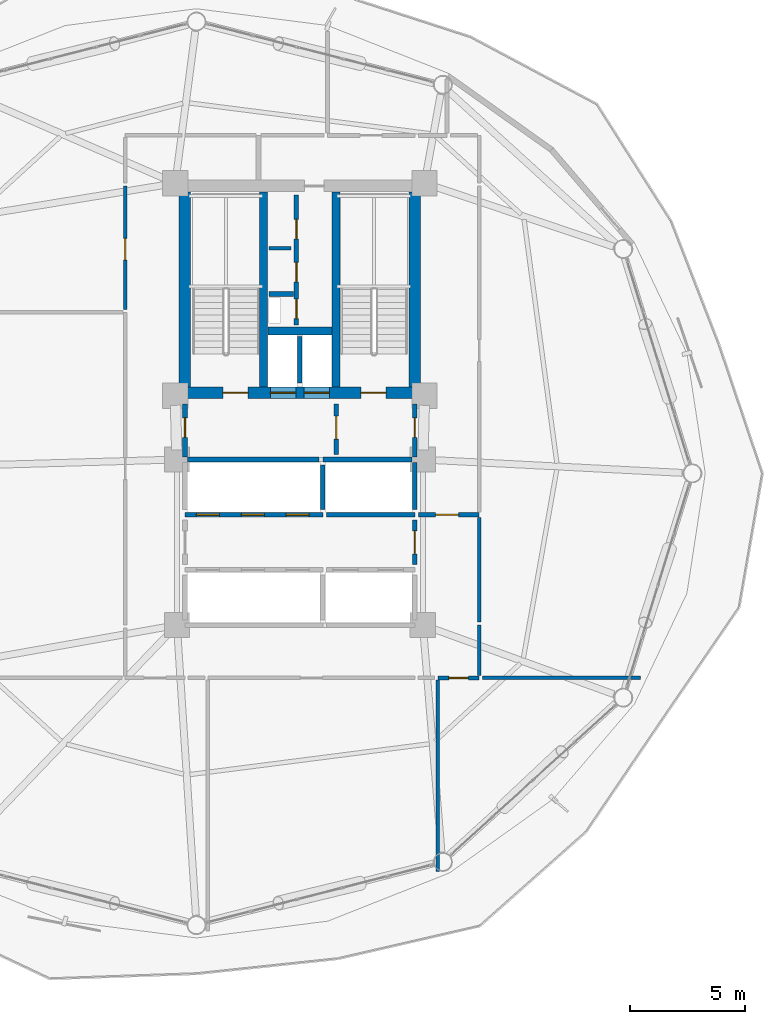
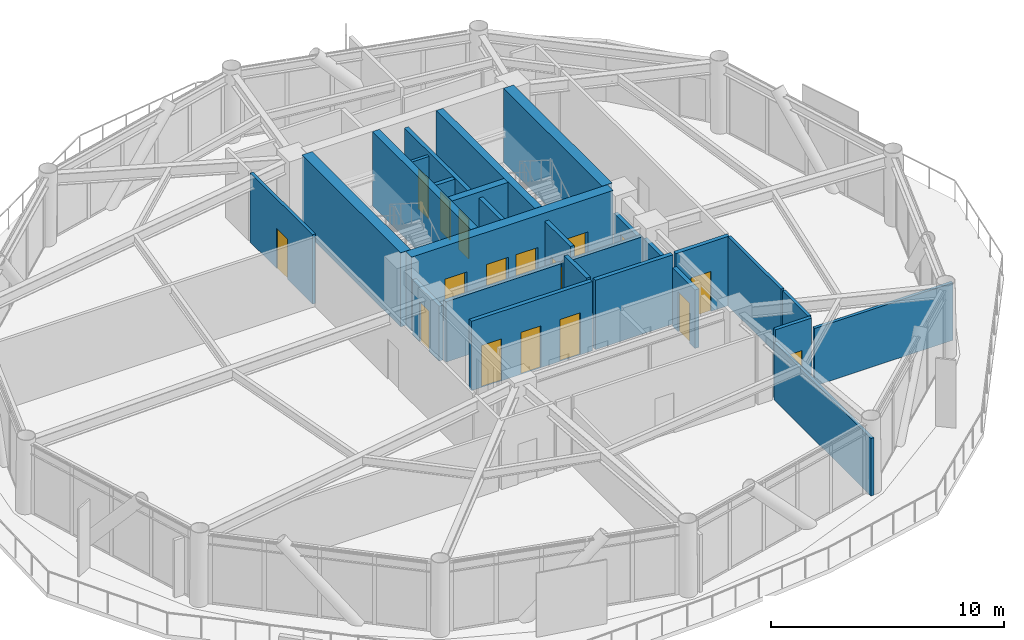
# One storey, part 20 of 24: 27 walls, 17 doors, 17 openings.
"""IFC4 building model written with IfcOpenShell, lengths in metres."""

from ifc_helpers import new_model, si_unit, direction, frame, frame_2d, origin, place, context, subcontext, project, spatial, rectangle, extrude, material, layer, layer_set, type_object, element, fill, save


model = new_model("IFC4")

# Units and contexts
model_context = context("Model", 3, precision=1e-05, world=origin(), true_north=direction((0.0, 1.0)))
body_context = subcontext(model_context, "Body", "Model", "MODEL_VIEW")
ifc_project = project(units=[si_unit("LENGTHUNIT", "METRE"), si_unit("AREAUNIT", "SQUARE_METRE"), si_unit("VOLUMEUNIT", "CUBIC_METRE"), si_unit("PLANEANGLEUNIT", "RADIAN"), si_unit("MASSUNIT", "GRAM", prefix="KILO")], contexts=[model_context])

# Site, building, storey
site_placement = place(None, origin())
site = spatial("IfcSite", under=ifc_project, at=site_placement, CompositionType="ELEMENT")
building_placement = place(site_placement, origin())
building = spatial("IfcBuilding", under=site, at=building_placement, Name="Varnakorn Sky Granary", CompositionType="ELEMENT")
storey_placement = place(building_placement, frame((0.0, 0.0, 103.199951171875)))
storey = spatial("IfcBuildingStorey", under=building, at=storey_placement, Name="L25", CompositionType="ELEMENT", Elevation=103.199951171875)

# Walls
ifc_material_1 = material(Name="Concrete C50/60", Category="concrete")
ifc_layer_1 = layer(ifc_material_1, 0.35009765625, Name="Concrete C50/60")
ifc_layer_set_1 = layer_set([ifc_layer_1], Name="Concrete C50/60")
wall_type_1 = type_object("IfcWallType", Name="WT-CW-INT-350", PredefinedType="SHEAR", material=ifc_layer_set_1)
for number, where, z_axis, x_axis, name in (
    (1, (1.419921875, 3.760009765625, 0.0), (0.0, 0.0, 1.0), (0.0, 1.0, 0.0), "Stair ST-1 Core Wall L25"),
    (2, (4.580078125, 3.760009765625, 0.0), (0.0, 0.0, 1.0), (0.0, 1.0, 0.0), "Stair ST-2 Core Wall L25"),
):
    element("IfcWall", number, at=place(storey_placement, frame(where, z_axis=z_axis, x_axis=x_axis)), inside=storey, type_object=wall_type_1, Name=name, PredefinedType="SHEAR", context=body_context, shape_type="SweptSolid", body=[
        extrude(rectangle(XDim=8.47998046875, YDim=0.35009765625, at=frame_2d((4.239990234375, 0.0))), origin(), (0.0, 0.0, 1.0), 3.89208984375),
    ])
wall_1_placement = place(storey_placement, frame((1.610107421875, 6.199951171875, 0.0), z_axis=(0.0, 0.0, 1.0), x_axis=(1.0, 0.0, 0.0)))
element("IfcWall", 3, at=wall_1_placement, inside=storey, type_object=wall_type_1, Name="Core Lift Shaft Cross Wall L25", PredefinedType="SHEAR", context=body_context, shape_type="SweptSolid", body=[
    extrude(rectangle(XDim=2.77978515625, YDim=0.35009765625, at=frame_2d((1.389892578125, 0.0))), origin(), (0.0, 0.0, 1.0), 3.89208984375),
])

# Wall, openings, doors
ifc_material_2 = material(Name="Concrete C60/75", Category="concrete")
ifc_layer_2 = layer(ifc_material_2, 0.5, Name="Concrete C60/75")
ifc_layer_set_2 = layer_set([ifc_layer_2], Name="Concrete C60/75")
wall_type_2 = type_object("IfcWallType", Name="WT-CW-SHEAR-500", PredefinedType="SHEAR", material=ifc_layer_set_2)
wall_2_placement = place(storey_placement, frame((-2.0, 3.5, 0.0), z_axis=(0.0, 0.0, 1.0), x_axis=(1.0, 0.0, 0.0)))
wall_2 = element("IfcWall", 4, at=wall_2_placement, inside=storey, type_object=wall_type_2, Name="Core South Shear Wall L25", PredefinedType="SHEAR", context=body_context, shape_type="SweptSolid", body=[
    extrude(rectangle(XDim=10.0, YDim=0.5, at=frame_2d((5.0, 0.0))), origin(), (0.0, 0.0, 1.0), 3.89208984375),
])
opening_1_placement = place(wall_2_placement, frame((1.64990234375, 0.0, 0.0)))
opening_1 = element("IfcOpeningElement", 5, at=opening_1_placement, cuts=wall_2, Name="Opening FD-90", PredefinedType="OPENING", context=body_context, shape_type="SweptSolid", body=[
    extrude(rectangle(XDim=1.10009765625, YDim=2.14990234375, at=frame_2d((0.550048828125, 1.074951171875))), frame((0.0, 0.260009765625, 0.0), z_axis=(0.0, -1.0, 0.0), x_axis=(1.0, 0.0, 0.0)), (0.0, 0.0, 1.0), 0.52001953125),
])
opening_2_placement = place(wall_2_placement, frame((7.64990234375, 0.0, 0.0)))
opening_2 = element("IfcOpeningElement", 6, at=opening_2_placement, cuts=wall_2, Name="Opening FD-90", PredefinedType="OPENING", context=body_context, shape_type="SweptSolid", body=[
    extrude(rectangle(XDim=1.10009765625, YDim=2.14990234375, at=frame_2d((0.550048828125, 1.074951171875))), frame((0.0, 0.260009765625, 0.0), z_axis=(0.0, -1.0, 0.0), x_axis=(1.0, 0.0, 0.0)), (0.0, 0.0, 1.0), 0.52001953125),
])
opening_3_placement = place(wall_2_placement, frame((3.719970703125, 0.0, 0.0)))
opening_3 = element("IfcOpeningElement", 7, at=opening_3_placement, cuts=wall_2, Name="Opening LD-01", PredefinedType="OPENING", context=body_context, shape_type="SweptSolid", body=[
    extrude(rectangle(XDim=1.10009765625, YDim=2.199951171875, at=frame_2d((0.550048828125, 1.10009765625))), frame((0.0, 0.260009765625, 0.0), z_axis=(0.0, -1.0, 0.0), x_axis=(1.0, 0.0, 0.0)), (0.0, 0.0, 1.0), 0.52001953125),
])
opening_4_placement = place(wall_2_placement, frame((5.179931640625, 0.0, 0.0)))
opening_4 = element("IfcOpeningElement", 8, at=opening_4_placement, cuts=wall_2, Name="Opening LD-01", PredefinedType="OPENING", context=body_context, shape_type="SweptSolid", body=[
    extrude(rectangle(XDim=1.10009765625, YDim=2.199951171875, at=frame_2d((0.550048828125, 1.10009765625))), frame((0.0, 0.260009765625, 0.0), z_axis=(0.0, -1.0, 0.0), x_axis=(1.0, 0.0, 0.0)), (0.0, 0.0, 1.0), 0.52001953125),
])
ifc_material_3 = material(Name="Brushed Bronze Stainless Steel", Category="steel")
door_type_1 = type_object("IfcDoorType", Name="DR-LD-1100", OperationType="DOUBLE_DOOR_SLIDING", PredefinedType="DOOR", material=ifc_material_3)
door_1_placement = place(opening_3_placement, origin())
door_1 = element("IfcDoor", 9, at=door_1_placement, inside=storey, type_object=door_type_1, Name="Firefighting Lift FFL-1 Landing Door L25", OperationType="DOUBLE_DOOR_SLIDING", OverallHeight=2.199951171875, OverallWidth=1.10009765625, PredefinedType="DOOR", context=body_context, shape_type="SweptSolid", body=[
    extrude(rectangle(XDim=1.10009765625, YDim=2.199951171875, at=frame_2d((0.550048828125, 1.10009765625))), frame((0.0, 0.02490234375, 0.0), z_axis=(0.0, -1.0, 0.0), x_axis=(1.0, 0.0, 0.0)), (0.0, 0.0, 1.0), 0.050048828125),
])
fill(opening_3, door_1)
door_2_placement = place(opening_4_placement, origin())
door_2 = element("IfcDoor", 10, at=door_2_placement, inside=storey, type_object=door_type_1, Name="Firefighting Lift FFL-2 Landing Door L25", OperationType="DOUBLE_DOOR_SLIDING", OverallHeight=2.199951171875, OverallWidth=1.10009765625, PredefinedType="DOOR", context=body_context, shape_type="SweptSolid", body=[
    extrude(rectangle(XDim=1.10009765625, YDim=2.199951171875, at=frame_2d((0.550048828125, 1.10009765625))), frame((0.0, 0.02490234375, 0.0), z_axis=(0.0, -1.0, 0.0), x_axis=(1.0, 0.0, 0.0)), (0.0, 0.0, 1.0), 0.050048828125),
])
fill(opening_4, door_2)
ifc_material_4 = material(Name="Galvanised Painted Steel Leaf", Category="steel")
door_type_2 = type_object("IfcDoorType", Name="DR-STAIR-1100", OperationType="NOTDEFINED", PredefinedType="DOOR", material=ifc_material_4)
door_3_placement = place(opening_1_placement, origin())
door_3 = element("IfcDoor", 11, at=door_3_placement, inside=storey, type_object=door_type_2, Name="Stair ST-1 Protected Fire Door L25", OperationType="SINGLE_SWING_LEFT", OverallHeight=2.14990234375, OverallWidth=1.10009765625, PredefinedType="DOOR", context=body_context, shape_type="SweptSolid", body=[
    extrude(rectangle(XDim=1.10009765625, YDim=2.14990234375, at=frame_2d((0.550048828125, 1.074951171875))), frame((0.0, 0.02490234375, 0.0), z_axis=(0.0, -1.0, 0.0), x_axis=(1.0, 0.0, 0.0)), (0.0, 0.0, 1.0), 0.050048828125),
])
fill(opening_1, door_3)
door_4_placement = place(opening_2_placement, origin())
door_4 = element("IfcDoor", 12, at=door_4_placement, inside=storey, type_object=door_type_2, Name="Stair ST-2 Protected Fire Door L25", OperationType="SINGLE_SWING_RIGHT", OverallHeight=2.14990234375, OverallWidth=1.10009765625, PredefinedType="DOOR", context=body_context, shape_type="SweptSolid", body=[
    extrude(rectangle(XDim=1.10009765625, YDim=2.14990234375, at=frame_2d((0.550048828125, 1.074951171875))), frame((0.0, 0.02490234375, 0.0), z_axis=(0.0, -1.0, 0.0), x_axis=(1.0, 0.0, 0.0)), (0.0, 0.0, 1.0), 0.050048828125),
])
fill(opening_2, door_4)

# Walls
for number, where, z_axis, x_axis, name in (
    (13, (-2.0, 3.760009765625, 0.0), (0.0, 0.0, 1.0), (0.0, 1.0, 0.0), "Core West Shear Wall L25"),
    (14, (8.0, 3.760009765625, 0.0), (0.0, 0.0, 1.0), (0.0, 1.0, 0.0), "Core East Shear Wall L25"),
):
    element("IfcWall", number, at=place(storey_placement, frame(where, z_axis=z_axis, x_axis=x_axis)), inside=storey, type_object=wall_type_2, Name=name, PredefinedType="SHEAR", context=body_context, shape_type="SweptSolid", body=[
        extrude(rectangle(XDim=8.47998046875, YDim=0.5, at=frame_2d((4.239990234375, 0.0))), origin(), (0.0, 0.0, 1.0), 3.89208984375),
    ])

# Wall, openings, doors
ifc_material_5 = material(Name="Autoclaved Aerated Concrete Blockwork", Category="masonry")
ifc_layer_3 = layer(ifc_material_5, 0.199951171875, Name="Autoclaved Aerated Concrete Blockwork")
ifc_layer_set_3 = layer_set([ifc_layer_3], Name="Autoclaved Aerated Concrete Blockwork")
wall_type_3 = type_object("IfcWallType", Name="WT-FIRE-200", PredefinedType="MOVABLE", material=ifc_layer_set_3)
wall_3_placement = place(storey_placement, frame((2.85009765625, 6.449951171875, 0.0), z_axis=(0.0, 0.0, 1.0), x_axis=(0.0, 1.0, 0.0)))
wall_3 = element("IfcWall", 15, at=wall_3_placement, inside=storey, type_object=wall_type_3, Name="Interior Partition Wall L25-016", PredefinedType="MOVABLE", context=body_context, shape_type="SweptSolid", body=[
    extrude(rectangle(XDim=5.650146484375, YDim=0.199951171875, at=frame_2d((2.8251953125, 0.0))), origin(), (0.0, 0.0, 1.0), 3.64013671875),
])
opening_5_placement = place(wall_3_placement, frame((1.8798828125, 0.0, 0.0)))
opening_5 = element("IfcOpeningElement", 16, at=opening_5_placement, cuts=wall_3, Name="Opening RD-85", PredefinedType="OPENING", context=body_context, shape_type="SweptSolid", body=[
    extrude(rectangle(XDim=0.85009765625, YDim=2.050048828125, at=frame_2d((0.425048828125, 1.02490234375))), frame((0.0, 0.10986328125, 0.0), z_axis=(0.0, -1.0, 0.0), x_axis=(1.0, 0.0, 0.0)), (0.0, 0.0, 1.0), 0.219970703125),
])
opening_6_placement = place(wall_3_placement, frame((3.75, 0.0, 0.0)))
opening_6 = element("IfcOpeningElement", 17, at=opening_6_placement, cuts=wall_3, Name="Opening FD-60N", PredefinedType="OPENING", context=body_context, shape_type="SweptSolid", body=[
    extrude(rectangle(XDim=0.85009765625, YDim=2.10009765625, at=frame_2d((0.425048828125, 1.050048828125))), frame((0.0, 0.10986328125, 0.0), z_axis=(0.0, -1.0, 0.0), x_axis=(1.0, 0.0, 0.0)), (0.0, 0.0, 1.0), 0.219970703125),
])
opening_7_placement = place(wall_3_placement, frame((0.280029296875, 0.0, 0.0)))
opening_7 = element("IfcOpeningElement", 18, at=opening_7_placement, cuts=wall_3, Name="Opening FD-60N", PredefinedType="OPENING", context=body_context, shape_type="SweptSolid", body=[
    extrude(rectangle(XDim=0.85009765625, YDim=2.10009765625, at=frame_2d((0.425048828125, 1.050048828125))), frame((0.0, 0.10986328125, 0.0), z_axis=(0.0, -1.0, 0.0), x_axis=(1.0, 0.0, 0.0)), (0.0, 0.0, 1.0), 0.219970703125),
])
ifc_material_6 = material(Name="Acoustic Timber Fire Leaf", Category="wood")
door_type_3 = type_object("IfcDoorType", Name="DR-FD60-850", OperationType="NOTDEFINED", PredefinedType="DOOR", material=ifc_material_6)
door_5_placement = place(opening_6_placement, origin())
door_5 = element("IfcDoor", 19, at=door_5_placement, inside=storey, type_object=door_type_3, Name="Interior Door L25-016-2", OperationType="SINGLE_SWING_LEFT", OverallHeight=2.10009765625, OverallWidth=0.85009765625, PredefinedType="DOOR", context=body_context, shape_type="SweptSolid", body=[
    extrude(rectangle(XDim=0.85009765625, YDim=2.10009765625, at=frame_2d((0.425048828125, 1.050048828125))), frame((0.0, 0.02490234375, 0.0), z_axis=(0.0, -1.0, 0.0), x_axis=(1.0, 0.0, 0.0)), (0.0, 0.0, 1.0), 0.050048828125),
])
fill(opening_6, door_5)
door_6_placement = place(opening_7_placement, origin())
door_6 = element("IfcDoor", 20, at=door_6_placement, inside=storey, type_object=door_type_3, Name="Interior Door L25-016-3", OperationType="SINGLE_SWING_RIGHT", OverallHeight=2.10009765625, OverallWidth=0.85009765625, PredefinedType="DOOR", context=body_context, shape_type="SweptSolid", body=[
    extrude(rectangle(XDim=0.85009765625, YDim=2.10009765625, at=frame_2d((0.425048828125, 1.050048828125))), frame((0.0, 0.02490234375, 0.0), z_axis=(0.0, -1.0, 0.0), x_axis=(1.0, 0.0, 0.0)), (0.0, 0.0, 1.0), 0.050048828125),
])
fill(opening_7, door_6)
door_type_4 = type_object("IfcDoorType", Name="DR-RIS-850", OperationType="NOTDEFINED", PredefinedType="DOOR", material=ifc_material_4)
door_7_placement = place(opening_5_placement, origin())
door_7 = element("IfcDoor", 21, at=door_7_placement, inside=storey, type_object=door_type_4, Name="MEP Riser Shaft Access Door L25-016-1", OperationType="SINGLE_SWING_RIGHT", OverallHeight=2.050048828125, OverallWidth=0.85009765625, PredefinedType="DOOR", context=body_context, shape_type="SweptSolid", body=[
    extrude(rectangle(XDim=0.85009765625, YDim=2.050048828125, at=frame_2d((0.425048828125, 1.02490234375))), frame((0.0, 0.02490234375, 0.0), z_axis=(0.0, -1.0, 0.0), x_axis=(1.0, 0.0, 0.0)), (0.0, 0.0, 1.0), 0.050048828125),
])
fill(opening_5, door_7)

# Wall, opening, door
wall_4_placement = place(storey_placement, frame((4.580078125, 0.830078125, 0.0), z_axis=(0.0, 0.0, 1.0), x_axis=(0.0, 1.0, 0.0)))
wall_4 = element("IfcWall", 22, at=wall_4_placement, inside=storey, type_object=wall_type_3, Name="Interior Partition Wall L25-017", PredefinedType="MOVABLE", context=body_context, shape_type="SweptSolid", body=[
    extrude(rectangle(XDim=2.18994140625, YDim=0.199951171875, at=frame_2d((1.094970703125, 0.0))), origin(), (0.0, 0.0, 1.0), 3.64013671875),
])
opening_8_placement = place(wall_4_placement, frame((0.659912109375, 0.0, 0.0)))
opening_8 = element("IfcOpeningElement", 23, at=opening_8_placement, cuts=wall_4, Name="Opening FD-60", PredefinedType="OPENING", context=body_context, shape_type="SweptSolid", body=[
    extrude(rectangle(XDim=1.0, YDim=2.10009765625, at=frame_2d((0.5, 1.050048828125))), frame((0.0, 0.10986328125, 0.0), z_axis=(0.0, -1.0, 0.0), x_axis=(1.0, 0.0, 0.0)), (0.0, 0.0, 1.0), 0.219970703125),
])
door_type_5 = type_object("IfcDoorType", Name="DR-FD60-1000", OperationType="NOTDEFINED", PredefinedType="DOOR", material=ifc_material_6)
door_8_placement = place(opening_8_placement, origin())
door_8 = element("IfcDoor", 24, at=door_8_placement, inside=storey, type_object=door_type_5, Name="Interior Door L25-017-1", OperationType="SINGLE_SWING_LEFT", OverallHeight=2.10009765625, OverallWidth=1.0, PredefinedType="DOOR", context=body_context, shape_type="SweptSolid", body=[
    extrude(rectangle(XDim=1.0, YDim=2.10009765625, at=frame_2d((0.5, 1.050048828125))), frame((0.0, 0.02490234375, 0.0), z_axis=(0.0, -1.0, 0.0), x_axis=(1.0, 0.0, 0.0)), (0.0, 0.0, 1.0), 0.050048828125),
])
fill(opening_8, door_8)

wall_5_placement = place(storey_placement, frame((-2.0, 0.719970703125, 0.0), z_axis=(0.0, 0.0, 1.0), x_axis=(0.0, 1.0, 0.0)))
wall_5 = element("IfcWall", 25, at=wall_5_placement, inside=storey, type_object=wall_type_3, Name="Interior Partition Wall L25-018", PredefinedType="MOVABLE", context=body_context, shape_type="SweptSolid", body=[
    extrude(rectangle(XDim=2.300048828125, YDim=0.199951171875, at=frame_2d((1.14990234375, 0.0))), origin(), (0.0, 0.0, 1.0), 2.8720703125),
])
opening_9_placement = place(wall_5_placement, frame((0.844970703125, 0.0, 0.0)))
opening_9 = element("IfcOpeningElement", 26, at=opening_9_placement, cuts=wall_5, Name="Opening FD-60N", PredefinedType="OPENING", context=body_context, shape_type="SweptSolid", body=[
    extrude(rectangle(XDim=0.85009765625, YDim=2.10009765625, at=frame_2d((0.425048828125, 1.050048828125))), frame((0.0, 0.10986328125, 0.0), z_axis=(0.0, -1.0, 0.0), x_axis=(1.0, 0.0, 0.0)), (0.0, 0.0, 1.0), 0.219970703125),
])
door_9_placement = place(opening_9_placement, origin())
door_9 = element("IfcDoor", 27, at=door_9_placement, inside=storey, type_object=door_type_3, Name="Interior Door L25-018-1", OperationType="SINGLE_SWING_RIGHT", OverallHeight=2.10009765625, OverallWidth=0.85009765625, PredefinedType="DOOR", context=body_context, shape_type="SweptSolid", body=[
    extrude(rectangle(XDim=0.85009765625, YDim=2.10009765625, at=frame_2d((0.425048828125, 1.050048828125))), frame((0.0, 0.02490234375, 0.0), z_axis=(0.0, -1.0, 0.0), x_axis=(1.0, 0.0, 0.0)), (0.0, 0.0, 1.0), 0.050048828125),
])
fill(opening_9, door_9)

wall_6_placement = place(storey_placement, frame((8.0, 0.719970703125, 0.0), z_axis=(0.0, 0.0, 1.0), x_axis=(0.0, 1.0, 0.0)))
wall_6 = element("IfcWall", 28, at=wall_6_placement, inside=storey, type_object=wall_type_3, Name="Interior Partition Wall L25-019", PredefinedType="MOVABLE", context=body_context, shape_type="SweptSolid", body=[
    extrude(rectangle(XDim=2.300048828125, YDim=0.199951171875, at=frame_2d((1.14990234375, 0.0))), origin(), (0.0, 0.0, 1.0), 2.8720703125),
])
opening_10_placement = place(wall_6_placement, frame((0.844970703125, 0.0, 0.0)))
opening_10 = element("IfcOpeningElement", 29, at=opening_10_placement, cuts=wall_6, Name="Opening FD-60N", PredefinedType="OPENING", context=body_context, shape_type="SweptSolid", body=[
    extrude(rectangle(XDim=0.85009765625, YDim=2.10009765625, at=frame_2d((0.425048828125, 1.050048828125))), frame((0.0, 0.10986328125, 0.0), z_axis=(0.0, -1.0, 0.0), x_axis=(1.0, 0.0, 0.0)), (0.0, 0.0, 1.0), 0.219970703125),
])
door_10_placement = place(opening_10_placement, origin())
door_10 = element("IfcDoor", 30, at=door_10_placement, inside=storey, type_object=door_type_3, Name="Interior Door L25-019-1", OperationType="SINGLE_SWING_LEFT", OverallHeight=2.10009765625, OverallWidth=0.85009765625, PredefinedType="DOOR", context=body_context, shape_type="SweptSolid", body=[
    extrude(rectangle(XDim=0.85009765625, YDim=2.10009765625, at=frame_2d((0.425048828125, 1.050048828125))), frame((0.0, 0.02490234375, 0.0), z_axis=(0.0, -1.0, 0.0), x_axis=(1.0, 0.0, 0.0)), (0.0, 0.0, 1.0), 0.050048828125),
])
fill(opening_10, door_10)

wall_7_placement = place(storey_placement, frame((8.0, -3.969970703125, 0.0), z_axis=(0.0, 0.0, 1.0), x_axis=(0.0, 1.0, 0.0)))
wall_7 = element("IfcWall", 31, at=wall_7_placement, inside=storey, type_object=wall_type_3, Name="Interior Partition Wall L25-021", PredefinedType="MOVABLE", context=body_context, shape_type="SweptSolid", body=[
    extrude(rectangle(XDim=1.93994140625, YDim=0.199951171875, at=frame_2d((0.969970703125, 0.0))), origin(), (0.0, 0.0, 1.0), 3.072021484375),
])
opening_11_placement = place(wall_7_placement, frame((0.469970703125, 0.0, 0.0)))
opening_11 = element("IfcOpeningElement", 32, at=opening_11_placement, cuts=wall_7, Name="Opening FD-60", PredefinedType="OPENING", context=body_context, shape_type="SweptSolid", body=[
    extrude(rectangle(XDim=1.0, YDim=2.10009765625, at=frame_2d((0.5, 1.050048828125))), frame((0.0, 0.10986328125, 0.0), z_axis=(0.0, -1.0, 0.0), x_axis=(1.0, 0.0, 0.0)), (0.0, 0.0, 1.0), 0.219970703125),
])
door_11_placement = place(opening_11_placement, origin())
door_11 = element("IfcDoor", 33, at=door_11_placement, inside=storey, type_object=door_type_5, Name="Interior Door L25-021-1", OperationType="SINGLE_SWING_LEFT", OverallHeight=2.10009765625, OverallWidth=1.0, PredefinedType="DOOR", context=body_context, shape_type="SweptSolid", body=[
    extrude(rectangle(XDim=1.0, YDim=2.10009765625, at=frame_2d((0.5, 1.050048828125))), frame((0.0, 0.02490234375, 0.0), z_axis=(0.0, -1.0, 0.0), x_axis=(1.0, 0.0, 0.0)), (0.0, 0.0, 1.0), 0.050048828125),
])
fill(opening_11, door_11)

wall_8_placement = place(storey_placement, frame((8.159912109375, -1.800048828125, 0.0), z_axis=(0.0, 0.0, 1.0), x_axis=(1.0, 0.0, 0.0)))
wall_8 = element("IfcWall", 34, at=wall_8_placement, inside=storey, type_object=wall_type_3, Name="Interior Partition Wall L25-022", PredefinedType="MOVABLE", context=body_context, shape_type="SweptSolid", body=[
    extrude(rectangle(XDim=2.64013671875, YDim=0.199951171875, at=frame_2d((1.320068359375, 0.0))), origin(), (0.0, 0.0, 1.0), 3.64013671875),
])
opening_12_placement = place(wall_8_placement, frame((0.739990234375, 0.0, 0.0)))
opening_12 = element("IfcOpeningElement", 35, at=opening_12_placement, cuts=wall_8, Name="Opening FD-60", PredefinedType="OPENING", context=body_context, shape_type="SweptSolid", body=[
    extrude(rectangle(XDim=1.0, YDim=2.10009765625, at=frame_2d((0.5, 1.050048828125))), frame((0.0, 0.10986328125, 0.0), z_axis=(0.0, -1.0, 0.0), x_axis=(1.0, 0.0, 0.0)), (0.0, 0.0, 1.0), 0.219970703125),
])
door_12_placement = place(opening_12_placement, origin())
door_12 = element("IfcDoor", 36, at=door_12_placement, inside=storey, type_object=door_type_5, Name="Interior Door L25-022-1", OperationType="SINGLE_SWING_RIGHT", OverallHeight=2.10009765625, OverallWidth=1.0, PredefinedType="DOOR", context=body_context, shape_type="SweptSolid", body=[
    extrude(rectangle(XDim=1.0, YDim=2.10009765625, at=frame_2d((0.5, 1.050048828125))), frame((0.0, 0.02490234375, 0.0), z_axis=(0.0, -1.0, 0.0), x_axis=(1.0, 0.0, 0.0)), (0.0, 0.0, 1.0), 0.050048828125),
])
fill(opening_12, door_12)

# Wall
wall_9_placement = place(storey_placement, frame((-1.8798828125, 0.60009765625, 0.0), z_axis=(0.0, 0.0, 1.0), x_axis=(1.0, 0.0, 0.0)))
element("IfcWall", 37, at=wall_9_placement, inside=storey, type_object=wall_type_3, Name="Interior Partition Wall L25-031", PredefinedType="MOVABLE", context=body_context, shape_type="SweptSolid", body=[
    extrude(rectangle(XDim=5.719970703125, YDim=0.199951171875, at=frame_2d((2.85986328125, 0.0))), origin(), (0.0, 0.0, 1.0), 3.172119140625),
])

# Wall, opening, door
ifc_material_7 = material(Name="Gypsum Plasterboard on Steel Stud", Category="steel")
ifc_layer_4 = layer(ifc_material_7, 0.14990234375, Name="Gypsum Plasterboard on Steel Stud")
ifc_layer_set_4 = layer_set([ifc_layer_4], Name="Gypsum Plasterboard on Steel Stud")
wall_type_4 = type_object("IfcWallType", Name="WT-PART-150", PredefinedType="PARTITIONING", material=ifc_layer_set_4)
wall_10_placement = place(storey_placement, frame((-4.60009765625, 12.5, 0.0), z_axis=(0.0, 0.0, 1.0), x_axis=(0.0, -1.0, 0.0)))
wall_10 = element("IfcWall", 38, at=wall_10_placement, inside=storey, type_object=wall_type_4, Name="Interior Partition Wall L25-028", PredefinedType="PARTITIONING", context=body_context, shape_type="SweptSolid", body=[
    extrude(rectangle(XDim=5.364990234375, YDim=0.14990234375, at=frame_2d((2.6826171875, 0.0))), origin(), (0.0, 0.0, 1.0), 3.64013671875),
])
opening_13_placement = place(wall_10_placement, frame((2.27490234375, 0.0, 0.0)))
opening_13 = element("IfcOpeningElement", 39, at=opening_13_placement, cuts=wall_10, Name="Opening ID-95", PredefinedType="OPENING", context=body_context, shape_type="SweptSolid", body=[
    extrude(rectangle(XDim=0.949951171875, YDim=2.10009765625, at=frame_2d((0.47509765625, 1.050048828125))), frame((0.0, 0.0849609375, 0.0), z_axis=(0.0, -1.0, 0.0), x_axis=(1.0, 0.0, 0.0)), (0.0, 0.0, 1.0), 0.169921875),
])
ifc_material_8 = material(Name="Solid-Core Teak Veneer Leaf", Category="timber")
door_type_6 = type_object("IfcDoorType", Name="DR-INT-950", OperationType="NOTDEFINED", PredefinedType="DOOR", material=ifc_material_8)
door_13_placement = place(opening_13_placement, origin())
door_13 = element("IfcDoor", 40, at=door_13_placement, inside=storey, type_object=door_type_6, Name="Interior Door L25-028-1", OperationType="SINGLE_SWING_RIGHT", OverallHeight=2.10009765625, OverallWidth=0.949951171875, PredefinedType="DOOR", context=body_context, shape_type="SweptSolid", body=[
    extrude(rectangle(XDim=0.949951171875, YDim=2.10009765625, at=frame_2d((0.47509765625, 1.050048828125))), frame((0.0, 0.02490234375, 0.0), z_axis=(0.0, -1.0, 0.0), x_axis=(1.0, 0.0, 0.0)), (0.0, 0.0, 1.0), 0.050048828125),
])
fill(opening_13, door_13)

# Walls
wall_11_placement = place(storey_placement, frame((1.64990234375, 9.800048828125, 0.0), z_axis=(0.0, 0.0, 1.0), x_axis=(1.0, 0.0, 0.0)))
element("IfcWall", 41, at=wall_11_placement, inside=storey, type_object=wall_type_4, Name="Interior Partition Wall L25-030", PredefinedType="PARTITIONING", context=body_context, shape_type="SweptSolid", body=[
    extrude(rectangle(XDim=0.960205078125, YDim=0.14990234375, at=frame_2d((0.47998046875, 0.0))), origin(), (0.0, 0.0, 1.0), 3.64013671875),
])
wall_12_placement = place(storey_placement, frame((9.0, -9.0, 0.0), z_axis=(0.0, 0.0, 1.0), x_axis=(0.0, -1.0, 0.0)))
element("IfcWall", 42, at=wall_12_placement, inside=storey, type_object=wall_type_4, Name="Interior Partition Wall L25-038", PredefinedType="PARTITIONING", context=body_context, shape_type="SweptSolid", body=[
    extrude(rectangle(XDim=8.327880859375, YDim=0.14990234375, at=frame_2d((4.1640625, 0.0))), origin(), (0.0, 0.0, 1.0), 3.02197265625),
])
wall_13_placement = place(storey_placement, frame((10.949951171875, -8.89990234375, 0.0), z_axis=(0.0, 0.0, 1.0), x_axis=(1.0, 0.0, 0.0)))
element("IfcWall", 43, at=wall_13_placement, inside=storey, type_object=wall_type_4, Name="Interior Partition Wall L25-039", PredefinedType="PARTITIONING", context=body_context, shape_type="SweptSolid", body=[
    extrude(rectangle(XDim=6.8759765625, YDim=0.14990234375, at=frame_2d((3.43798828125, 0.0))), origin(), (0.0, 0.0, 1.0), 3.02197265625),
])
wall_14_placement = place(storey_placement, frame((10.800048828125, -8.800048828125, 0.0), z_axis=(0.0, 0.0, 1.0), x_axis=(0.0, 1.0, 0.0)))
element("IfcWall", 44, at=wall_14_placement, inside=storey, type_object=wall_type_4, Name="Interior Partition Wall L25-049", PredefinedType="PARTITIONING", context=body_context, shape_type="SweptSolid", body=[
    extrude(rectangle(XDim=2.199951171875, YDim=0.14990234375, at=frame_2d((1.10009765625, 0.0))), origin(), (0.0, 0.0, 1.0), 3.64013671875),
])
wall_15_placement = place(storey_placement, frame((10.800048828125, -6.465087890625, 0.0), z_axis=(0.0, 0.0, 1.0), x_axis=(0.0, 1.0, 0.0)))
element("IfcWall", 45, at=wall_15_placement, inside=storey, type_object=wall_type_4, Name="Interior Partition Wall L25-050", PredefinedType="PARTITIONING", context=body_context, shape_type="SweptSolid", body=[
    extrude(rectangle(XDim=4.55517578125, YDim=0.14990234375, at=frame_2d((2.277587890625, 0.0))), origin(), (0.0, 0.0, 1.0), 3.64013671875),
])

# Wall, opening, door
ifc_material_9 = material(Name="Moisture-Resistant Gypsum on Stud", Category="gypsum")
ifc_layer_5 = layer(ifc_material_9, 0.179931640625, Name="Moisture-Resistant Gypsum on Stud")
ifc_layer_set_5 = layer_set([ifc_layer_5], Name="Moisture-Resistant Gypsum on Stud")
wall_type_5 = type_object("IfcWallType", Name="WT-PLUMB-180", PredefinedType="PLUMBINGWALL", material=ifc_layer_set_5)
wall_16_placement = place(storey_placement, frame((9.0, -8.89990234375, 0.0), z_axis=(0.0, 0.0, 1.0), x_axis=(1.0, 0.0, 0.0)))
wall_16 = element("IfcWall", 46, at=wall_16_placement, inside=storey, type_object=wall_type_5, Name="Interior Partition Wall L25-026", PredefinedType="PLUMBINGWALL", context=body_context, shape_type="SweptSolid", body=[
    extrude(rectangle(XDim=1.800048828125, YDim=0.179931640625, at=frame_2d((0.89990234375, 0.0))), origin(), (0.0, 0.0, 1.0), 3.64013671875),
])
opening_14_placement = place(wall_16_placement, frame((0.47509765625, 0.0, 0.0)))
opening_14 = element("IfcOpeningElement", 47, at=opening_14_placement, cuts=wall_16, Name="Opening ID-85", PredefinedType="OPENING", context=body_context, shape_type="SweptSolid", body=[
    extrude(rectangle(XDim=0.85009765625, YDim=2.10009765625, at=frame_2d((0.425048828125, 1.050048828125))), frame((0.0, 0.10009765625, 0.0), z_axis=(0.0, -1.0, 0.0), x_axis=(1.0, 0.0, 0.0)), (0.0, 0.0, 1.0), 0.199951171875),
])
door_type_7 = type_object("IfcDoorType", Name="DR-INT-850", OperationType="NOTDEFINED", PredefinedType="DOOR", material=ifc_material_8)
door_14_placement = place(opening_14_placement, origin())
door_14 = element("IfcDoor", 48, at=door_14_placement, inside=storey, type_object=door_type_7, Name="Interior Door L25-026-1", OperationType="SINGLE_SWING_RIGHT", OverallHeight=2.10009765625, OverallWidth=0.85009765625, PredefinedType="DOOR", context=body_context, shape_type="SweptSolid", body=[
    extrude(rectangle(XDim=0.85009765625, YDim=2.10009765625, at=frame_2d((0.425048828125, 1.050048828125))), frame((0.0, 0.02490234375, 0.0), z_axis=(0.0, -1.0, 0.0), x_axis=(1.0, 0.0, 0.0)), (0.0, 0.0, 1.0), 0.050048828125),
])
fill(opening_14, door_14)

# Walls
ifc_layer_6 = layer(ifc_material_5, 0.199951171875, Name="Autoclaved Aerated Concrete Blockwork")
ifc_layer_set_6 = layer_set([ifc_layer_6], Name="Autoclaved Aerated Concrete Blockwork")
wall_type_6 = type_object("IfcWallType", Name="WT-SHAFT-200", PredefinedType="SOLIDWALL", material=ifc_layer_set_6)
wall_17_placement = place(storey_placement, frame((3.0, 3.919921875, 0.0), z_axis=(0.0, 0.0, 1.0), x_axis=(0.0, 1.0, 0.0)))
element("IfcWall", 49, at=wall_17_placement, inside=storey, type_object=wall_type_6, Name="Interior Partition Wall L25-001", PredefinedType="SOLIDWALL", context=body_context, shape_type="SweptSolid", body=[
    extrude(rectangle(XDim=2.030029296875, YDim=0.199951171875, at=frame_2d((1.01513671875, 0.0))), origin(), (0.0, 0.0, 1.0), 3.64013671875),
])
wall_18_placement = place(storey_placement, frame((1.64990234375, 7.800048828125, 0.0), z_axis=(0.0, 0.0, 1.0), x_axis=(1.0, 0.0, 0.0)))
element("IfcWall", 50, at=wall_18_placement, inside=storey, type_object=wall_type_6, Name="Interior Partition Wall L25-002", PredefinedType="SOLIDWALL", context=body_context, shape_type="SweptSolid", body=[
    extrude(rectangle(XDim=1.070068359375, YDim=0.199951171875, at=frame_2d((0.53515625, 0.0))), origin(), (0.0, 0.0, 1.0), 3.64013671875),
])
wall_19_placement = place(storey_placement, frame((4.0, 0.60009765625, 0.0), z_axis=(0.0, 0.0, 1.0), x_axis=(1.0, 0.0, 0.0)))
element("IfcWall", 51, at=wall_19_placement, inside=storey, type_object=wall_type_6, Name="Interior Partition Wall L25-003", PredefinedType="SOLIDWALL", context=body_context, shape_type="SweptSolid", body=[
    extrude(rectangle(XDim=3.8798828125, YDim=0.199951171875, at=frame_2d((1.93994140625, 0.0))), origin(), (0.0, 0.0, 1.0), 3.172119140625),
])

# Wall, openings, doors
wall_20_placement = place(storey_placement, frame((-2.0, -1.800048828125, 0.0), z_axis=(0.0, 0.0, 1.0), x_axis=(1.0, 0.0, 0.0)))
wall_20 = element("IfcWall", 52, at=wall_20_placement, inside=storey, type_object=wall_type_6, Name="Interior Partition Wall L25-004", PredefinedType="SOLIDWALL", context=body_context, shape_type="SweptSolid", body=[
    extrude(rectangle(XDim=6.0, YDim=0.199951171875, at=frame_2d((3.0, 0.0))), origin(), (0.0, 0.0, 1.0), 3.64013671875),
])
opening_15_placement = place(wall_20_placement, frame((0.5, 0.0, 0.0)))
opening_15 = element("IfcOpeningElement", 53, at=opening_15_placement, cuts=wall_20, Name="Opening LD-03", PredefinedType="OPENING", context=body_context, shape_type="SweptSolid", body=[
    extrude(rectangle(XDim=1.0, YDim=2.199951171875, at=frame_2d((0.5, 1.10009765625))), frame((0.0, 0.10986328125, 0.0), z_axis=(0.0, -1.0, 0.0), x_axis=(1.0, 0.0, 0.0)), (0.0, 0.0, 1.0), 0.219970703125),
])
opening_16_placement = place(wall_20_placement, frame((2.449951171875, 0.0, 0.0)))
opening_16 = element("IfcOpeningElement", 54, at=opening_16_placement, cuts=wall_20, Name="Opening LD-03", PredefinedType="OPENING", context=body_context, shape_type="SweptSolid", body=[
    extrude(rectangle(XDim=1.0, YDim=2.199951171875, at=frame_2d((0.5, 1.10009765625))), frame((0.0, 0.10986328125, 0.0), z_axis=(0.0, -1.0, 0.0), x_axis=(1.0, 0.0, 0.0)), (0.0, 0.0, 1.0), 0.219970703125),
])
opening_17_placement = place(wall_20_placement, frame((4.39990234375, 0.0, 0.0)))
opening_17 = element("IfcOpeningElement", 55, at=opening_17_placement, cuts=wall_20, Name="Opening LD-03", PredefinedType="OPENING", context=body_context, shape_type="SweptSolid", body=[
    extrude(rectangle(XDim=1.0, YDim=2.199951171875, at=frame_2d((0.5, 1.10009765625))), frame((0.0, 0.10986328125, 0.0), z_axis=(0.0, -1.0, 0.0), x_axis=(1.0, 0.0, 0.0)), (0.0, 0.0, 1.0), 0.219970703125),
])
door_type_8 = type_object("IfcDoorType", Name="DR-LD-1000", OperationType="DOUBLE_DOOR_SLIDING", PredefinedType="DOOR", material=ifc_material_3)
door_15_placement = place(opening_15_placement, origin())
door_15 = element("IfcDoor", 56, at=door_15_placement, inside=storey, type_object=door_type_8, Name="Passenger Lift PL-L1 Sliding Landing Door L25", OperationType="DOUBLE_DOOR_SLIDING", OverallHeight=2.199951171875, OverallWidth=1.0, PredefinedType="DOOR", context=body_context, shape_type="SweptSolid", body=[
    extrude(rectangle(XDim=1.0, YDim=2.199951171875, at=frame_2d((0.5, 1.10009765625))), frame((0.0, 0.02490234375, 0.0), z_axis=(0.0, -1.0, 0.0), x_axis=(1.0, 0.0, 0.0)), (0.0, 0.0, 1.0), 0.050048828125),
])
fill(opening_15, door_15)
door_16_placement = place(opening_16_placement, origin())
door_16 = element("IfcDoor", 57, at=door_16_placement, inside=storey, type_object=door_type_8, Name="Passenger Lift PL-L2 Sliding Landing Door L25", OperationType="DOUBLE_DOOR_SLIDING", OverallHeight=2.199951171875, OverallWidth=1.0, PredefinedType="DOOR", context=body_context, shape_type="SweptSolid", body=[
    extrude(rectangle(XDim=1.0, YDim=2.199951171875, at=frame_2d((0.5, 1.10009765625))), frame((0.0, 0.02490234375, 0.0), z_axis=(0.0, -1.0, 0.0), x_axis=(1.0, 0.0, 0.0)), (0.0, 0.0, 1.0), 0.050048828125),
])
fill(opening_16, door_16)
door_17_placement = place(opening_17_placement, origin())
door_17 = element("IfcDoor", 58, at=door_17_placement, inside=storey, type_object=door_type_8, Name="Passenger Lift PL-L3 Sliding Landing Door L25", OperationType="DOUBLE_DOOR_SLIDING", OverallHeight=2.199951171875, OverallWidth=1.0, PredefinedType="DOOR", context=body_context, shape_type="SweptSolid", body=[
    extrude(rectangle(XDim=1.0, YDim=2.199951171875, at=frame_2d((0.5, 1.10009765625))), frame((0.0, 0.02490234375, 0.0), z_axis=(0.0, -1.0, 0.0), x_axis=(1.0, 0.0, 0.0)), (0.0, 0.0, 1.0), 0.050048828125),
])
fill(opening_17, door_17)

# Walls
wall_21_placement = place(storey_placement, frame((4.159912109375, -1.800048828125, 0.0), z_axis=(0.0, 0.0, 1.0), x_axis=(1.0, 0.0, 0.0)))
element("IfcWall", 59, at=wall_21_placement, inside=storey, type_object=wall_type_6, Name="Interior Partition Wall L25-006", PredefinedType="SOLIDWALL", context=body_context, shape_type="SweptSolid", body=[
    extrude(rectangle(XDim=3.840087890625, YDim=0.199951171875, at=frame_2d((1.919921875, 0.0))), origin(), (0.0, 0.0, 1.0), 3.64013671875),
])
wall_22_placement = place(storey_placement, frame((4.0, -1.570068359375, 0.0), z_axis=(0.0, 0.0, 1.0), x_axis=(0.0, 1.0, 0.0)))
element("IfcWall", 60, at=wall_22_placement, inside=storey, type_object=wall_type_6, Name="Interior Partition Wall L25-007", PredefinedType="SOLIDWALL", context=body_context, shape_type="SweptSolid", body=[
    extrude(rectangle(XDim=1.940185546875, YDim=0.199951171875, at=frame_2d((0.97021484375, 0.0))), origin(), (0.0, 0.0, 1.0), 3.64013671875),
])
wall_23_placement = place(storey_placement, frame((8.0, -1.570068359375, 0.0), z_axis=(0.0, 0.0, 1.0), x_axis=(0.0, 1.0, 0.0)))
element("IfcWall", 61, at=wall_23_placement, inside=storey, type_object=wall_type_6, Name="Interior Partition Wall L25-008", PredefinedType="SOLIDWALL", context=body_context, shape_type="SweptSolid", body=[
    extrude(rectangle(XDim=2.050048828125, YDim=0.199951171875, at=frame_2d((1.02490234375, 0.0))), origin(), (0.0, 0.0, 1.0), 3.072021484375),
])

save(model, "model.ifc")
